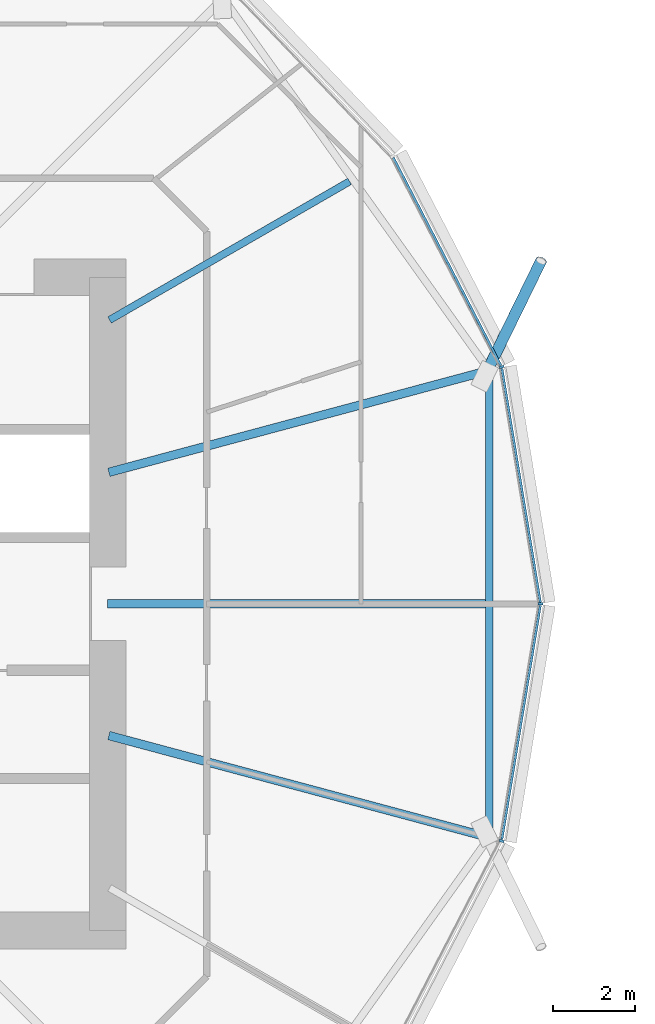
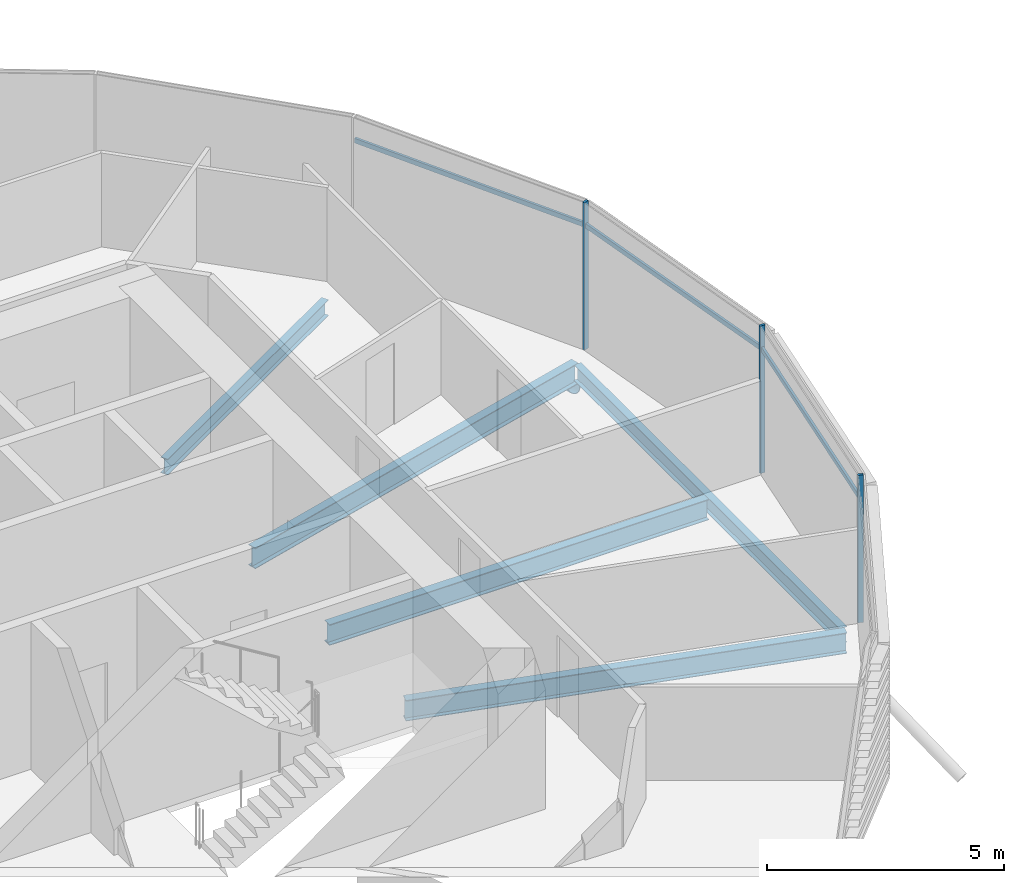
# One storey, part 8 of 38: 7 members, 5 beams, 1 element without a shape of its own.
"""IFC4 building model written with IfcOpenShell, lengths in metres."""

from ifc_helpers import new_model, si_unit, direction, frame, origin, origin_2d, place, context, subcontext, project, spatial, rectangle, hollow_circle, i_section, extrude, clip, halfspace, material, material_profile, profile_set, type_object, element, aggregate, save


model = new_model("IFC4")

# Units and contexts
model_context = context("Model", 3, precision=1e-05, world=origin(), true_north=direction((0.0, 1.0)))
body_context = subcontext(model_context, "Body", "Model", "MODEL_VIEW")
ifc_project = project(units=[si_unit("LENGTHUNIT", "METRE"), si_unit("AREAUNIT", "SQUARE_METRE"), si_unit("VOLUMEUNIT", "CUBIC_METRE"), si_unit("PLANEANGLEUNIT", "RADIAN"), si_unit("MASSUNIT", "GRAM", prefix="KILO")], contexts=[model_context])

# Site, building, storey
site_placement = place(None, origin())
site = spatial("IfcSite", under=ifc_project, at=site_placement, CompositionType="ELEMENT")
building_placement = place(site_placement, origin())
building = spatial("IfcBuilding", under=site, at=building_placement, Name="Rimbun Link Towers", CompositionType="ELEMENT")
storey_placement = place(building_placement, frame((0.0, 0.0, 49.0)))
storey = spatial("IfcBuildingStorey", under=building, at=storey_placement, Name="L11", CompositionType="ELEMENT", Elevation=49.0)

# Curtain wall, members
ifc_material_1 = material(Name="Aluminium 6063-T6 and low-iron glass", Category="aluminium")
curtain_wall_type = type_object("IfcCurtainWallType", Name="CW1 unitised vision wall", PredefinedType="NOTDEFINED", material=ifc_material_1)
curtain_wall_placement = place(storey_placement, origin())
curtain_wall = element("IfcCurtainWall", 1, at=curtain_wall_placement, inside=storey, type_object=curtain_wall_type, Name="CW1 L11 T1", PredefinedType="NOTDEFINED")
ifc_material_2 = material(Name="Aluminium 6063-T6", Category="aluminium")
ifc_material_profile_1 = material_profile(ifc_material_2, rectangle(XDim=0.1201171875, YDim=0.06005859375, at=origin_2d()), Name="MULLION 60X120")
ifc_profile_set_1 = profile_set([ifc_material_profile_1], Name="Aluminium 6063-T6")
member_type_1 = type_object("IfcMemberType", Name="CW1 mullion 60X120", PredefinedType="MULLION", material=ifc_profile_set_1)
member_1_placement = place(storey_placement, frame((-10.1025390625, 5.80419921875, 0.0), z_axis=(0.0, 0.0, 1.0), x_axis=(0.949161102225, 0.314790727346, 0.0)))
member_1 = element("IfcMember", 2, at=member_1_placement, type_object=member_type_1, Name="CW1 mullion", PredefinedType="MULLION", context=body_context, shape_type="SweptSolid", body=[
    extrude(rectangle(XDim=0.1201171875, YDim=0.06005859375, at=origin_2d()), origin(), (0.0, 0.0, 1.0), 3.800048828125),
])
member_2_placement = place(storey_placement, frame((-9.148193359375, 0.0, 0.0), z_axis=(0.0, 0.0, 1.0), x_axis=(1.0, 0.0, 0.0)))
member_2 = element("IfcMember", 3, at=member_2_placement, type_object=member_type_1, Name="CW1 mullion", PredefinedType="MULLION", context=body_context, shape_type="SweptSolid", body=[
    extrude(rectangle(XDim=0.1201171875, YDim=0.06005859375, at=origin_2d()), origin(), (0.0, 0.0, 1.0), 3.800048828125),
])
member_3_placement = place(storey_placement, frame((-10.1025390625, -5.80419921875, 0.0), z_axis=(0.0, 0.0, 1.0), x_axis=(0.949161102225, -0.314790727346, 0.0)))
member_3 = element("IfcMember", 4, at=member_3_placement, type_object=member_type_1, Name="CW1 mullion", PredefinedType="MULLION", context=body_context, shape_type="SweptSolid", body=[
    extrude(rectangle(XDim=0.1201171875, YDim=0.06005859375, at=origin_2d()), origin(), (0.0, 0.0, 1.0), 3.800048828125),
])
ifc_material_3 = material(Name="Aluminium 6063-T6", Category="aluminium")
ifc_material_profile_2 = material_profile(ifc_material_3, rectangle(XDim=0.06005859375, YDim=0.1201171875, at=origin_2d()), Name="TRANSOM 60X120")
ifc_profile_set_2 = profile_set([ifc_material_profile_2], Name="Aluminium 6063-T6")
member_type_2 = type_object("IfcMemberType", Name="CW1 transom 60X120", PredefinedType="USERDEFINED", material=ifc_profile_set_2)
member_4_placement = place(storey_placement, frame((-10.097412109375, 5.764892578125, 3.199951171875), z_axis=(0.162276747693, -0.986745284842, 0.0), x_axis=(0.986745284842, 0.162276747693, 0.0)))
member_4 = element("IfcMember", 5, at=member_4_placement, type_object=member_type_2, Name="CW1 transom", ObjectType="TRANSOM", PredefinedType="USERDEFINED", context=body_context, shape_type="SweptSolid", body=[
    extrude(rectangle(XDim=0.06005859375, YDim=0.1201171875, at=origin_2d()), origin(), (0.0, 0.0, 1.0), 5.802734375),
])
member_5_placement = place(storey_placement, frame((-12.755615234375, 10.9287109375, 3.199951171875), z_axis=(0.459541116691, -0.888156496385, 0.0), x_axis=(0.888156496385, 0.459541116691, 0.0)))
member_5 = element("IfcMember", 6, at=member_5_placement, type_object=member_type_2, Name="CW1 transom", ObjectType="TRANSOM", PredefinedType="USERDEFINED", context=body_context, shape_type="SweptSolid", body=[
    extrude(rectangle(XDim=0.06005859375, YDim=0.1201171875, at=origin_2d()), origin(), (0.0, 0.0, 1.0), 5.7314453125),
])
member_6_placement = place(storey_placement, frame((-9.15576171875, -0.0390625, 3.199951171875), z_axis=(-0.162276747693, -0.986745284842, 0.0), x_axis=(0.986745284842, -0.162276747693, 0.0)))
member_6 = element("IfcMember", 7, at=member_6_placement, type_object=member_type_2, Name="CW1 transom", ObjectType="TRANSOM", PredefinedType="USERDEFINED", context=body_context, shape_type="SweptSolid", body=[
    extrude(rectangle(XDim=0.06005859375, YDim=0.1201171875, at=origin_2d()), origin(), (0.0, 0.0, 1.0), 5.802734375),
])
aggregate(curtain_wall, [member_1, member_2, member_3, member_4, member_5, member_6])

# Member
ifc_material_4 = material(Name="Steel S355J2H", Category="steel")
ifc_material_profile_3 = material_profile(ifc_material_4, hollow_circle(Radius=0.136474609375, WallThickness=0.012451171875, at=origin_2d()), Name="CHS 273x12.5")
ifc_profile_set_3 = profile_set([ifc_material_profile_3], Name="Steel S355J2H")
member_type_3 = type_object("IfcMemberType", Name="Floor edge link CHS 273x12.5", PredefinedType="BRACE", material=ifc_profile_set_3)
member_7_placement = place(storey_placement, frame((-10.455078125, 5.7060546875, -0.8076171875), z_axis=(0.367591251139, 0.751653952402, -0.54762487884), x_axis=(-0.898329657886, 0.439322006918, 0.0)))
element("IfcMember", 8, at=member_7_placement, inside=storey, type_object=member_type_3, Name="Floor edge link T1 L11 01", PredefinedType="BRACE", context=body_context, shape_type="Clipping", body=[
    clip(extrude(hollow_circle(Radius=0.136474609375, WallThickness=0.012451171875, at=origin_2d()), frame((0.0, 0.0, -0.435302734375)), (0.0, 0.0, 1.0), 4.037109375), halfspace(frame((0.0, 0.0, -0.20556640625), z_axis=(0.0, 0.836723964086, -0.54762487884)), False)),
])

# Beams
ifc_material_5 = material(Name="Steel S355J2", Category="steel")
ifc_material_profile_4 = material_profile(ifc_material_5, i_section(OverallWidth=0.177978515625, OverallDepth=0.406494140625, WebThickness=0.0078125, FlangeThickness=0.0126953125, at=origin_2d()), Name="UB 406x178x60")
ifc_profile_set_4 = profile_set([ifc_material_profile_4], Name="Steel S355J2")
beam_type_1 = type_object("IfcBeamType", Name="UB 406x178x60", PredefinedType="BEAM", material=ifc_profile_set_4)
beam_1_placement = place(storey_placement, frame((-19.70458984375, 6.954345703125, -0.36328125), z_axis=(0.866019088595, 0.50001093807, 0.0), x_axis=(-0.50001093807, 0.866019088595, 0.0)))
element("IfcBeam", 9, at=beam_1_placement, inside=storey, type_object=beam_type_1, Name="Radial beam T1 L11 02", PredefinedType="BEAM", context=body_context, shape_type="SweptSolid", body=[
    extrude(i_section(OverallWidth=0.177978515625, OverallDepth=0.406494140625, WebThickness=0.0078125, FlangeThickness=0.0126953125, at=origin_2d()), origin(), (0.0, 0.0, 1.0), 6.788330078125),
])
beam_2_placement = place(storey_placement, frame((-10.40673828125, -5.609619140625, -0.36328125), z_axis=(0.0, 1.0, 0.0), x_axis=(-1.0, 0.0, 0.0)))
element("IfcBeam", 10, at=beam_2_placement, inside=storey, type_object=beam_type_1, Name="Edge beam T1 L11 23-01", PredefinedType="BEAM", context=body_context, shape_type="SweptSolid", body=[
    extrude(i_section(OverallWidth=0.177978515625, OverallDepth=0.406494140625, WebThickness=0.0078125, FlangeThickness=0.0126953125, at=origin_2d()), origin(), (0.0, 0.0, 1.0), 11.21923828125),
])
ifc_material_6 = material(Name="Steel S355J2", Category="steel")
ifc_material_profile_5 = material_profile(ifc_material_6, i_section(OverallWidth=0.209228515625, OverallDepth=0.533203125, WebThickness=0.010009765625, FlangeThickness=0.015625, at=origin_2d()), Name="UB 533x210x92")
ifc_profile_set_5 = profile_set([ifc_material_profile_5], Name="Steel S355J2")
beam_type_2 = type_object("IfcBeamType", Name="UB 533x210x92", PredefinedType="BEAM", material=ifc_profile_set_5)
beam_3_placement = place(storey_placement, frame((-19.7490234375, 0.0, -0.426513671875), z_axis=(1.0, 0.0, 0.0), x_axis=(0.0, 1.0, 0.0)))
element("IfcBeam", 11, at=beam_3_placement, inside=storey, type_object=beam_type_2, Name="Radial beam T1 L11 00", PredefinedType="BEAM", context=body_context, shape_type="SweptSolid", body=[
    extrude(i_section(OverallWidth=0.209228515625, OverallDepth=0.533203125, WebThickness=0.010009765625, FlangeThickness=0.015625, at=origin_2d()), origin(), (0.0, 0.0, 1.0), 9.25244140625),
])
for number, where, z_axis, x_axis, name in (
    (12, (-19.721923828125, 3.222900390625, -0.426513671875), (0.965923303762, 0.258828459118, 0.0), (-0.258828459118, 0.965923303762, 0.0), "Radial beam T1 L11 01"),
    (13, (-19.721923828125, -3.222900390625, -0.426513671875), (0.965923303762, -0.258828459118, 0.0), (0.258828459118, 0.965923303762, 0.0), "Radial beam T1 L11 23"),
):
    element("IfcBeam", number, at=place(storey_placement, frame(where, z_axis=z_axis, x_axis=x_axis)), inside=storey, type_object=beam_type_2, Name=name, PredefinedType="BEAM", context=body_context, shape_type="SweptSolid", body=[
        extrude(i_section(OverallWidth=0.209228515625, OverallDepth=0.533203125, WebThickness=0.010009765625, FlangeThickness=0.015625, at=origin_2d()), origin(), (0.0, 0.0, 1.0), 9.643798828125),
    ])

save(model, "model.ifc")
